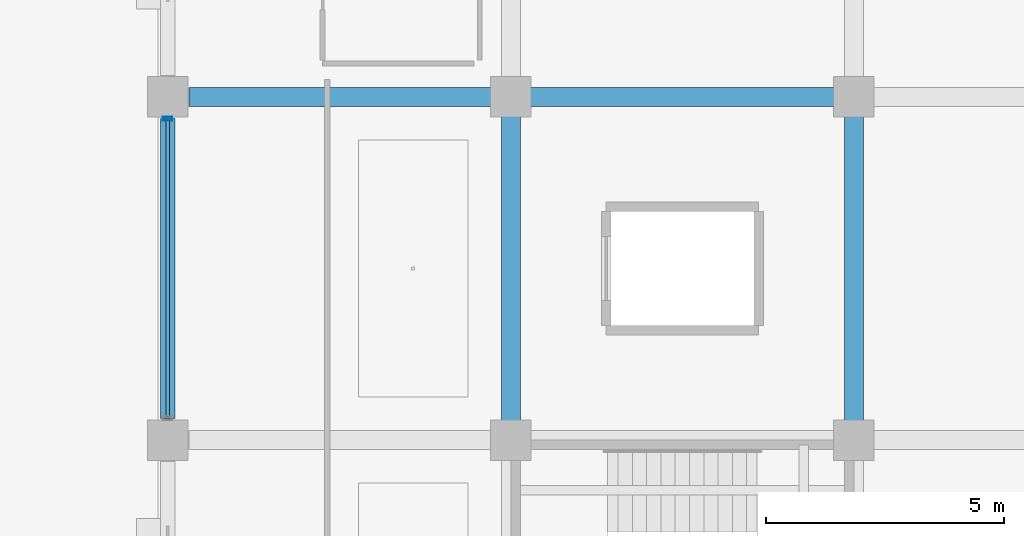
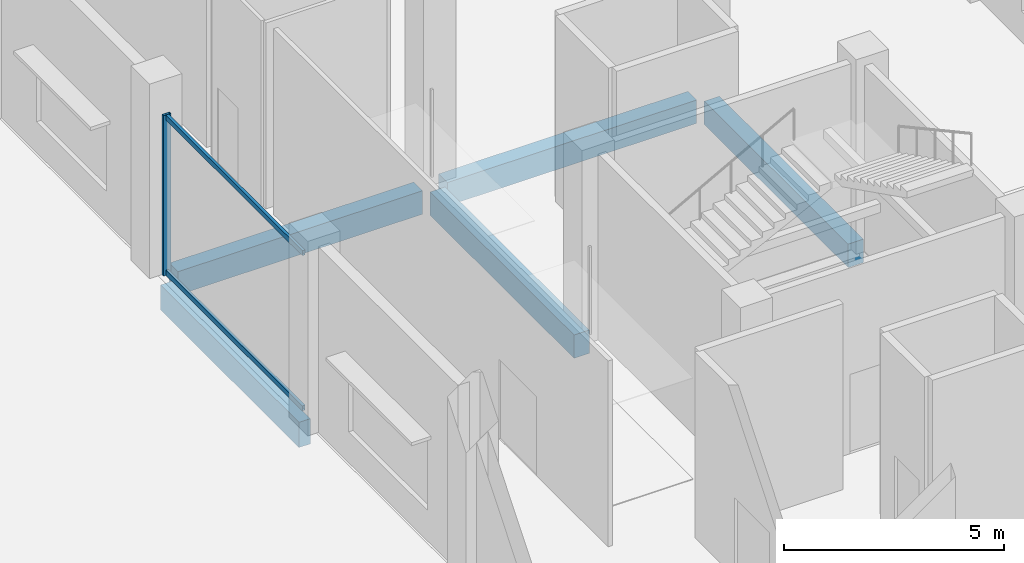
# One storey, part 42 of 90: 5 beams, 3 members, 1 element without a shape of its own.
"""IFC4 building model written with IfcOpenShell, lengths in metres."""

from ifc_helpers import new_model, si_unit, direction, frame, origin, origin_2d, place, context, subcontext, project, spatial, rectangle, hollow_rectangle, extrude, material, layer, layer_set, material_profile, profile_set, type_object, element, aggregate, save


model = new_model("IFC4")

# Units and contexts
model_context = context("Model", 3, precision=1e-05, world=origin(), true_north=direction((0.0, 1.0)))
body_context = subcontext(model_context, "Body", "Model", "MODEL_VIEW")
ifc_project = project(units=[si_unit("LENGTHUNIT", "METRE"), si_unit("AREAUNIT", "SQUARE_METRE"), si_unit("VOLUMEUNIT", "CUBIC_METRE"), si_unit("PLANEANGLEUNIT", "RADIAN"), si_unit("MASSUNIT", "GRAM", prefix="KILO")], contexts=[model_context])

# Site, building, storey
site_placement = place(None, origin())
site = spatial("IfcSite", under=ifc_project, at=site_placement, CompositionType="ELEMENT")
building_placement = place(site_placement, origin())
building = spatial("IfcBuilding", under=site, at=building_placement, Name="Kangsadwip Square Police Headquarters", CompositionType="ELEMENT")
storey_placement = place(building_placement, origin())
storey = spatial("IfcBuildingStorey", under=building, at=storey_placement, Name="L00", CompositionType="ELEMENT", Elevation=0.0)

# Curtain wall, members
ifc_material_1 = material(Name="Thermally broken anodised aluminium AW-6063-T6", Category="aluminium")
ifc_layer = layer(ifc_material_1, 0.159912109375)
ifc_layer_set = layer_set([ifc_layer], Name="Thermally broken anodised aluminium AW-6063-T6")
curtain_wall_type = type_object("IfcCurtainWallType", Name="CourtScreen6360x4450", PredefinedType="USERDEFINED", material=ifc_layer_set)
curtain_wall_placement = place(storey_placement, origin())
curtain_wall = element("IfcCurtainWall", 1, at=curtain_wall_placement, inside=storey, type_object=curtain_wall_type, Name="Curtain Wall CW-L00-1440-0652", ObjectType="GLAZED_SCREEN", PredefinedType="USERDEFINED")
ifc_material_2 = material(Name="Thermally broken anodised aluminium AW-6063-T6", Category="aluminium")
ifc_material_profile_1 = material_profile(ifc_material_2, hollow_rectangle(XDim=0.074951171875, YDim=0.199951171875, WallThickness=0.0048828125, at=origin_2d()), Name="CWM 200X75X5")
ifc_profile_set_1 = profile_set([ifc_material_profile_1], Name="Thermally broken anodised aluminium AW-6063-T6")
member_type_1 = type_object("IfcMemberType", Name="CwMullion180x75", PredefinedType="MULLION", material=ifc_profile_set_1)
member_1_placement = place(storey_placement, frame((144.0, 71.54248046875, 0.0), z_axis=(0.0, 0.0, 1.0), x_axis=(0.0, 1.0, 0.0)))
member_1 = element("IfcMember", 2, at=member_1_placement, type_object=member_type_1, Name="CW-15 mullion 2", PredefinedType="MULLION", context=body_context, shape_type="SweptSolid", body=[
    extrude(hollow_rectangle(XDim=0.074951171875, YDim=0.199951171875, WallThickness=0.0048828125, at=origin_2d()), origin(), (0.0, 0.0, 1.0), 4.449951171875),
])
ifc_material_3 = material(Name="Thermally broken anodised aluminium AW-6063-T6", Category="aluminium")
ifc_material_profile_2 = material_profile(ifc_material_3, hollow_rectangle(XDim=0.074951171875, YDim=0.139892578125, WallThickness=0.0048828125, at=origin_2d()), Name="CWT 140X75X5")
ifc_profile_set_2 = profile_set([ifc_material_profile_2], Name="Thermally broken anodised aluminium AW-6063-T6")
member_type_2 = type_object("IfcMemberType", Name="CwTransom160x65", PredefinedType="USERDEFINED", material=ifc_profile_set_2)
member_2_placement = place(storey_placement, frame((144.0, 65.294921875, 0.070068359375), z_axis=(0.0, 1.0, 0.0), x_axis=(-1.0, 0.0, 0.0)))
member_2 = element("IfcMember", 3, at=member_2_placement, type_object=member_type_2, Name="CW-15 transom 1.1", ObjectType="TRANSOM", PredefinedType="USERDEFINED", context=body_context, shape_type="SweptSolid", body=[
    extrude(hollow_rectangle(XDim=0.074951171875, YDim=0.139892578125, WallThickness=0.0048828125, at=origin_2d()), origin(), (0.0, 0.0, 1.0), 6.2099609375),
])
member_3_placement = place(storey_placement, frame((144.0, 65.294921875, 4.3798828125), z_axis=(0.0, 1.0, 0.0), x_axis=(-1.0, 0.0, 0.0)))
member_3 = element("IfcMember", 4, at=member_3_placement, type_object=member_type_2, Name="CW-15 transom 1.2", ObjectType="TRANSOM", PredefinedType="USERDEFINED", context=body_context, shape_type="SweptSolid", body=[
    extrude(hollow_rectangle(XDim=0.074951171875, YDim=0.139892578125, WallThickness=0.0048828125, at=origin_2d()), origin(), (0.0, 0.0, 1.0), 6.2099609375),
])
aggregate(curtain_wall, [member_1, member_2, member_3])

# Beams
ifc_material_4 = material(Name="Concrete M35 (35 MPa)", Category="concrete")
ifc_material_profile_3 = material_profile(ifc_material_4, rectangle(XDim=0.39990234375, YDim=0.64990234375, at=origin_2d()), Name="RC BM 650X400")
ifc_profile_set_3 = profile_set([ifc_material_profile_3], Name="Concrete M35 (35 MPa)")
beam_type_1 = type_object("IfcBeamType", Name="RcBeam650x400", PredefinedType="BEAM", material=ifc_profile_set_3)
beam_1_placement = place(storey_placement, frame((144.449951171875, 72.0, -0.574951171875), z_axis=(1.0, 0.0, 0.0), x_axis=(0.0, 1.0, 0.0)))
element("IfcBeam", 5, at=beam_1_placement, inside=storey, type_object=beam_type_1, Name="Beam BM-L00-X-20-10", PredefinedType="BEAM", context=body_context, shape_type="SweptSolid", body=[
    extrude(rectangle(XDim=0.39990234375, YDim=0.64990234375, at=origin_2d()), origin(), (0.0, 0.0, 1.0), 6.425048828125),
])
for number, where, z_axis, x_axis, name in (
    (6, (151.52490234375, 72.0, -0.574951171875), (1.0, 0.0, 0.0), (0.0, 1.0, 0.0), "Beam BM-L00-X-21-10"),
    (7, (151.199951171875, 65.125, -0.574951171875), (0.0, 1.0, 0.0), (-1.0, 0.0, 0.0), "Beam BM-L00-Y-21-09"),
    (8, (158.39990234375, 65.125, -0.574951171875), (0.0, 1.0, 0.0), (-1.0, 0.0, 0.0), "Beam BM-L00-Y-22-09"),
):
    element("IfcBeam", number, at=place(storey_placement, frame(where, z_axis=z_axis, x_axis=x_axis)), inside=storey, type_object=beam_type_1, Name=name, PredefinedType="BEAM", context=body_context, shape_type="SweptSolid", body=[
        extrude(rectangle(XDim=0.39990234375, YDim=0.64990234375, at=origin_2d()), origin(), (0.0, 0.0, 1.0), 6.550048828125),
    ])
ifc_material_5 = material(Name="Concrete M40 (40 MPa)", Category="concrete")
ifc_material_profile_4 = material_profile(ifc_material_5, rectangle(XDim=0.300048828125, YDim=0.699951171875, at=origin_2d()), Name="RC SPN 700X300")
ifc_profile_set_4 = profile_set([ifc_material_profile_4], Name="Concrete M40 (40 MPa)")
beam_type_2 = type_object("IfcBeamType", Name="RcSpandrel700x300", PredefinedType="SPANDREL", material=ifc_profile_set_4)
beam_2_placement = place(storey_placement, frame((144.0, 65.25, -0.60009765625), z_axis=(0.0, 1.0, 0.0), x_axis=(-1.0, 0.0, 0.0)))
element("IfcBeam", 9, at=beam_2_placement, inside=storey, type_object=beam_type_2, Name="Beam BM-L00-Y-20-09", PredefinedType="SPANDREL", context=body_context, shape_type="SweptSolid", body=[
    extrude(rectangle(XDim=0.300048828125, YDim=0.699951171875, at=origin_2d()), origin(), (0.0, 0.0, 1.0), 6.300048828125),
])

save(model, "model.ifc")
